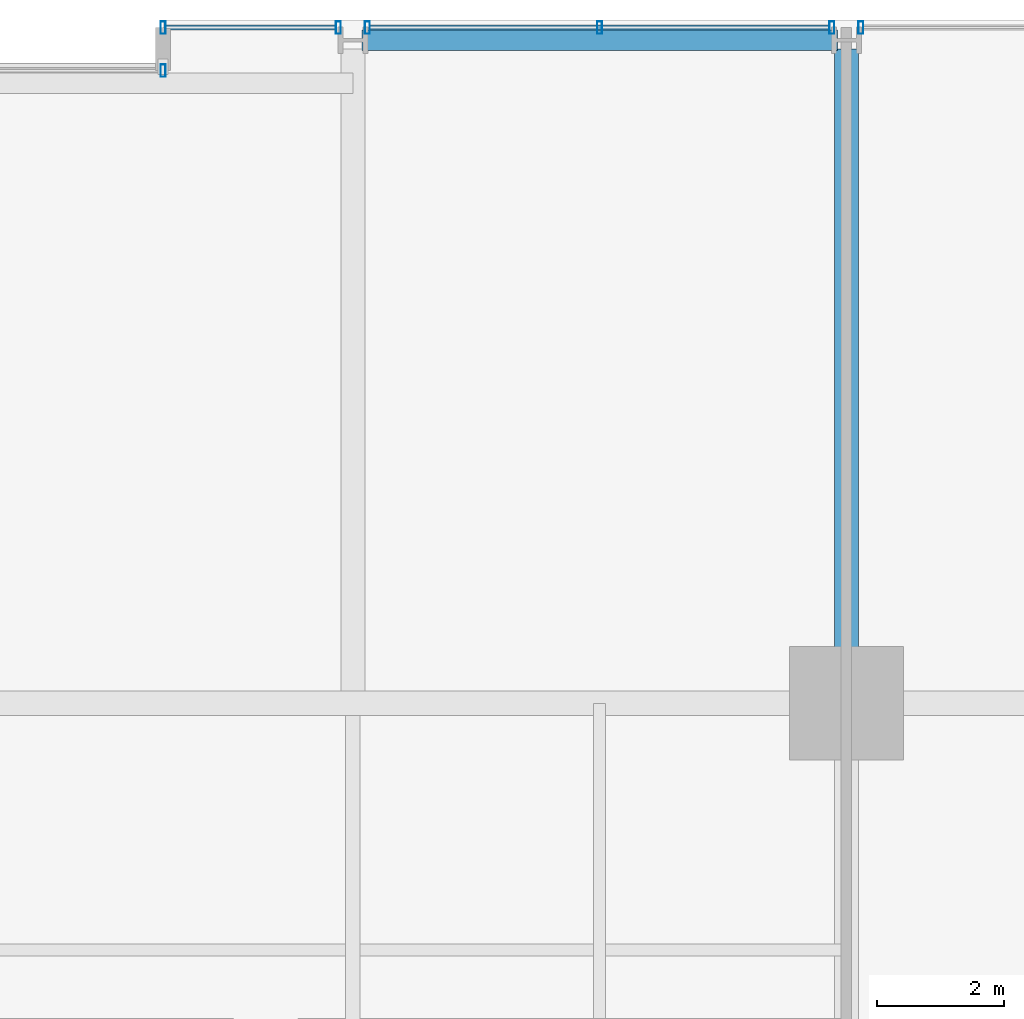
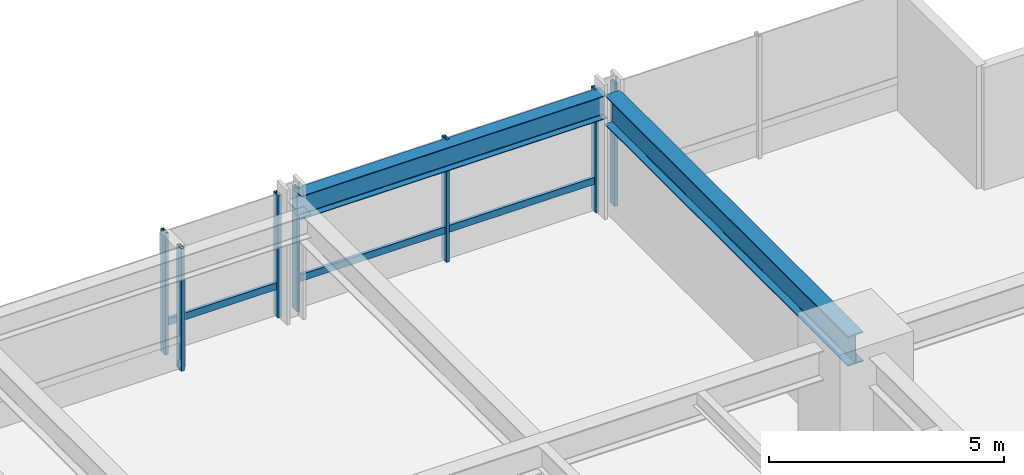
# One storey, part 27 of 37: 9 members, 2 beams, 4 elements without a shape of their own.
"""IFC4 building model written with IfcOpenShell, lengths in metres."""

from ifc_helpers import new_model, si_unit, direction, frame, origin, origin_2d, place, context, subcontext, project, spatial, hollow_rectangle, i_section, extrude, material, layer, layer_set, material_profile, profile_set, type_object, element, aggregate, save


model = new_model("IFC4")

# Units and contexts
model_context = context("Model", 3, precision=1e-05, world=origin(), true_north=direction((0.0, 1.0)))
body_context = subcontext(model_context, "Body", "Model", "MODEL_VIEW")
ifc_project = project(units=[si_unit("LENGTHUNIT", "METRE"), si_unit("AREAUNIT", "SQUARE_METRE"), si_unit("VOLUMEUNIT", "CUBIC_METRE"), si_unit("PLANEANGLEUNIT", "RADIAN"), si_unit("MASSUNIT", "GRAM", prefix="KILO")], contexts=[model_context])

# Site, building, storey
site_placement = place(None, origin())
site = spatial("IfcSite", under=ifc_project, at=site_placement, CompositionType="ELEMENT")
building_placement = place(site_placement, origin())
building = spatial("IfcBuilding", under=site, at=building_placement, Name="Drelvath Grand Hotel", CompositionType="ELEMENT")
storey_placement = place(building_placement, frame((0.0, 0.0, 78.699951171875)))
storey = spatial("IfcBuildingStorey", under=building, at=storey_placement, Name="L19", CompositionType="ELEMENT", Elevation=78.699951171875)

# Curtain wall, member
ifc_material_1 = material(Name="Warm Bronze Anodised Aluminium Frame", Category="aluminium")
ifc_layer = layer(ifc_material_1, 0.199951171875)
ifc_layer_set = layer_set([ifc_layer], Name="Warm Bronze Anodised Aluminium Frame")
curtain_wall_type = type_object("IfcCurtainWallType", Name="Stick Curtain Wall CW-02 Warm Bronze Low-Rise", PredefinedType="NOTDEFINED", material=ifc_layer_set)
curtain_wall_1_placement = place(storey_placement, origin())
curtain_wall_1 = element("IfcCurtainWall", 1, at=curtain_wall_1_placement, inside=storey, type_object=curtain_wall_type, Name="L19 CW-02 Curtain Wall CW02-L19-NE1", PredefinedType="NOTDEFINED")
ifc_material_profile_1 = material_profile(ifc_material_1, hollow_rectangle(XDim=0.074951171875, YDim=0.179931640625, WallThickness=0.0048828125, at=origin_2d()), Name="HSS180X75X5")
ifc_profile_set_1 = profile_set([ifc_material_profile_1], Name="Warm Bronze Anodised Aluminium Frame")
member_type_1 = type_object("IfcMemberType", Name="Curtain Wall Horizontal Transom CW-02 HSS180X75X5", PredefinedType="USERDEFINED", material=ifc_profile_set_1)
member_1_placement = place(storey_placement, frame((5.43994140625, 53.8798828125, 0.795166015625), z_axis=(1.0, 0.0, 0.0), x_axis=(0.0, 1.0, 0.0)))
member_1 = element("IfcMember", 2, at=member_1_placement, type_object=member_type_1, Name="CW02-L19-NE1 Sill Transom", ObjectType="TRANSOM", PredefinedType="USERDEFINED", context=body_context, shape_type="SweptSolid", body=[
    extrude(hollow_rectangle(XDim=0.074951171875, YDim=0.179931640625, WallThickness=0.0048828125, at=origin_2d()), origin(), (0.0, 0.0, 1.0), 2.69091796875),
])

curtain_wall_2_placement = place(storey_placement, origin())
curtain_wall_2 = element("IfcCurtainWall", 3, at=curtain_wall_2_placement, inside=storey, type_object=curtain_wall_type, Name="L19 CW-02 Curtain Wall CW02-L19-NE2", PredefinedType="NOTDEFINED")
member_2_placement = place(storey_placement, frame((8.669189453125, 53.8798828125, 0.795166015625), z_axis=(1.0, 0.0, 0.0), x_axis=(0.0, 1.0, 0.0)))
member_2 = element("IfcMember", 4, at=member_2_placement, type_object=member_type_1, Name="CW02-L19-NE2 Sill Transom", ObjectType="TRANSOM", PredefinedType="USERDEFINED", context=body_context, shape_type="SweptSolid", body=[
    extrude(hollow_rectangle(XDim=0.074951171875, YDim=0.179931640625, WallThickness=0.0048828125, at=origin_2d()), origin(), (0.0, 0.0, 1.0), 7.26171875),
])

curtain_wall_3_placement = place(storey_placement, origin())
curtain_wall_3 = element("IfcCurtainWall", 5, at=curtain_wall_3_placement, inside=storey, type_object=curtain_wall_type, Name="L19 CW-02 Curtain Wall CW02-L19-NM2", PredefinedType="NOTDEFINED")
ifc_material_profile_2 = material_profile(ifc_material_1, hollow_rectangle(XDim=0.080078125, YDim=0.199951171875, WallThickness=0.0048828125, at=origin_2d()), Name="HSS200X80X5")
ifc_profile_set_2 = profile_set([ifc_material_profile_2], Name="Warm Bronze Anodised Aluminium Frame")
member_type_2 = type_object("IfcMemberType", Name="Curtain Wall Vertical Mullion CW-02 HSS200X80X5", PredefinedType="MULLION", material=ifc_profile_set_2)
member_3_placement = place(storey_placement, frame((5.39990234375, 53.199951171875, 0.0), z_axis=(0.0, 0.0, 1.0), x_axis=(1.0, 0.0, 0.0)))
member_3 = element("IfcMember", 6, at=member_3_placement, type_object=member_type_2, Name="CW02-L19-NM2 Mullion 2", PredefinedType="MULLION", context=body_context, shape_type="SweptSolid", body=[
    extrude(hollow_rectangle(XDim=0.080078125, YDim=0.199951171875, WallThickness=0.0048828125, at=origin_2d()), origin(), (0.0, 0.0, 1.0), 3.179931640625),
])
aggregate(curtain_wall_3, [member_3])

# Member
member_4_placement = place(storey_placement, frame((5.39990234375, 53.8798828125, 0.0), z_axis=(0.0, 0.0, 1.0), x_axis=(1.0, 0.0, 0.0)))
member_4 = element("IfcMember", 7, at=member_4_placement, type_object=member_type_2, Name="CW02-L19-NE1 Mullion 1", PredefinedType="MULLION", context=body_context, shape_type="SweptSolid", body=[
    extrude(hollow_rectangle(XDim=0.080078125, YDim=0.199951171875, WallThickness=0.0048828125, at=origin_2d()), origin(), (0.0, 0.0, 1.0), 3.179931640625),
])

member_5_placement = place(storey_placement, frame((8.1708984375, 53.8798828125, 0.0), z_axis=(0.0, 0.0, 1.0), x_axis=(1.0, 0.0, 0.0)))
member_5 = element("IfcMember", 8, at=member_5_placement, type_object=member_type_2, Name="CW02-L19-NE1 Mullion 2", PredefinedType="MULLION", context=body_context, shape_type="SweptSolid", body=[
    extrude(hollow_rectangle(XDim=0.080078125, YDim=0.199951171875, WallThickness=0.0048828125, at=origin_2d()), origin(), (0.0, 0.0, 1.0), 3.179931640625),
])

aggregate(curtain_wall_1, [member_4, member_5, member_1])

member_6_placement = place(storey_placement, frame((8.629150390625, 53.8798828125, 0.0), z_axis=(0.0, 0.0, 1.0), x_axis=(1.0, 0.0, 0.0)))
member_6 = element("IfcMember", 9, at=member_6_placement, type_object=member_type_2, Name="CW02-L19-NE2 Mullion 1", PredefinedType="MULLION", context=body_context, shape_type="SweptSolid", body=[
    extrude(hollow_rectangle(XDim=0.080078125, YDim=0.199951171875, WallThickness=0.0048828125, at=origin_2d()), origin(), (0.0, 0.0, 1.0), 3.179931640625),
])

member_7_placement = place(storey_placement, frame((12.300048828125, 53.8798828125, 0.0), z_axis=(0.0, 0.0, 1.0), x_axis=(1.0, 0.0, 0.0)))
member_7 = element("IfcMember", 10, at=member_7_placement, type_object=member_type_2, Name="CW02-L19-NE2 Mullion 2", PredefinedType="MULLION", context=body_context, shape_type="SweptSolid", body=[
    extrude(hollow_rectangle(XDim=0.080078125, YDim=0.199951171875, WallThickness=0.0048828125, at=origin_2d()), origin(), (0.0, 0.0, 1.0), 3.179931640625),
])

member_8_placement = place(storey_placement, frame((15.970947265625, 53.8798828125, 0.0), z_axis=(0.0, 0.0, 1.0), x_axis=(1.0, 0.0, 0.0)))
member_8 = element("IfcMember", 11, at=member_8_placement, type_object=member_type_2, Name="CW02-L19-NE2 Mullion 3", PredefinedType="MULLION", context=body_context, shape_type="SweptSolid", body=[
    extrude(hollow_rectangle(XDim=0.080078125, YDim=0.199951171875, WallThickness=0.0048828125, at=origin_2d()), origin(), (0.0, 0.0, 1.0), 3.179931640625),
])

aggregate(curtain_wall_2, [member_6, member_7, member_8, member_2])

# Curtain wall, member
curtain_wall_4_placement = place(storey_placement, origin())
curtain_wall_4 = element("IfcCurtainWall", 12, at=curtain_wall_4_placement, inside=storey, type_object=curtain_wall_type, Name="L19 CW-02 Curtain Wall CW02-L19-NE3", PredefinedType="NOTDEFINED")
member_9_placement = place(storey_placement, frame((16.42919921875, 53.8798828125, 0.0), z_axis=(0.0, 0.0, 1.0), x_axis=(1.0, 0.0, 0.0)))
member_9 = element("IfcMember", 13, at=member_9_placement, type_object=member_type_2, Name="CW02-L19-NE3 Mullion 1", PredefinedType="MULLION", context=body_context, shape_type="SweptSolid", body=[
    extrude(hollow_rectangle(XDim=0.080078125, YDim=0.199951171875, WallThickness=0.0048828125, at=origin_2d()), origin(), (0.0, 0.0, 1.0), 3.179931640625),
])
aggregate(curtain_wall_4, [member_9])

# Beams
ifc_material_2 = material(Name="Steel ASTM A992 Gr 50", Category="steel")
ifc_material_profile_3 = material_profile(ifc_material_2, i_section(OverallWidth=0.323974609375, OverallDepth=0.611083984375, WebThickness=0.0126953125, FlangeThickness=0.01904296875, FilletRadius=0.02197265625, at=origin_2d()), Name="W24X104")
ifc_profile_set_3 = profile_set([ifc_material_profile_3], Name="Steel ASTM A992 Gr 50")
beam_type_1 = type_object("IfcBeamType", Name="Perimeter Spandrel Beam W24X104", PredefinedType="SPANDREL", material=ifc_profile_set_3)
beam_1_placement = place(storey_placement, frame((8.5400390625, 53.679931640625, 2.87451171875), z_axis=(1.0, 0.0, 0.0), x_axis=(0.0, 1.0, 0.0)))
element("IfcBeam", 14, at=beam_1_placement, inside=storey, type_object=beam_type_1, Name="L19 Spandrel North E", PredefinedType="SPANDREL", context=body_context, shape_type="SweptSolid", body=[
    extrude(i_section(OverallWidth=0.323974609375, OverallDepth=0.611083984375, WebThickness=0.0126953125, FlangeThickness=0.01904296875, FilletRadius=0.02197265625, at=origin_2d()), origin(), (0.0, 0.0, 1.0), 7.52001953125),
])
ifc_material_profile_4 = material_profile(ifc_material_2, i_section(OverallWidth=0.380615234375, OverallDepth=0.773193359375, WebThickness=0.0166015625, FlangeThickness=0.027099609375, FilletRadius=0.02490234375, at=origin_2d()), Name="W30X173")
ifc_profile_set_4 = profile_set([ifc_material_profile_4], Name="Steel ASTM A992 Gr 50")
beam_type_2 = type_object("IfcBeamType", Name="Primary Floor Girder W30X173", PredefinedType="BEAM", material=ifc_profile_set_4)
beam_2_placement = place(storey_placement, frame((16.199951171875, 43.199951171875, 2.79345703125), z_axis=(0.0, 1.0, 0.0), x_axis=(-1.0, 0.0, 0.0)))
element("IfcBeam", 15, at=beam_2_placement, inside=storey, type_object=beam_type_2, Name="L19 North Grid Girder 7", PredefinedType="BEAM", context=body_context, shape_type="SweptSolid", body=[
    extrude(i_section(OverallWidth=0.380615234375, OverallDepth=0.773193359375, WebThickness=0.0166015625, FlangeThickness=0.027099609375, FilletRadius=0.02490234375, at=origin_2d()), origin(), (0.0, 0.0, 1.0), 10.340087890625),
])

save(model, "model.ifc")
